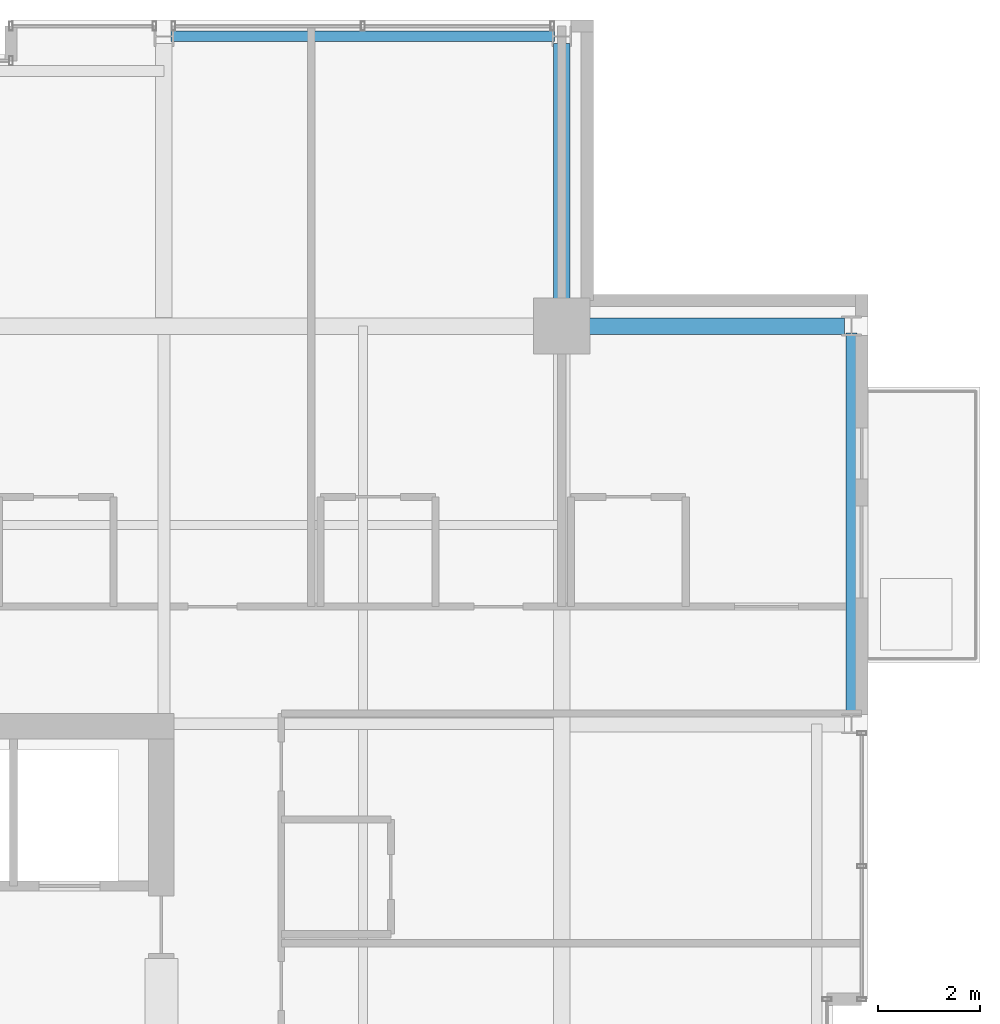
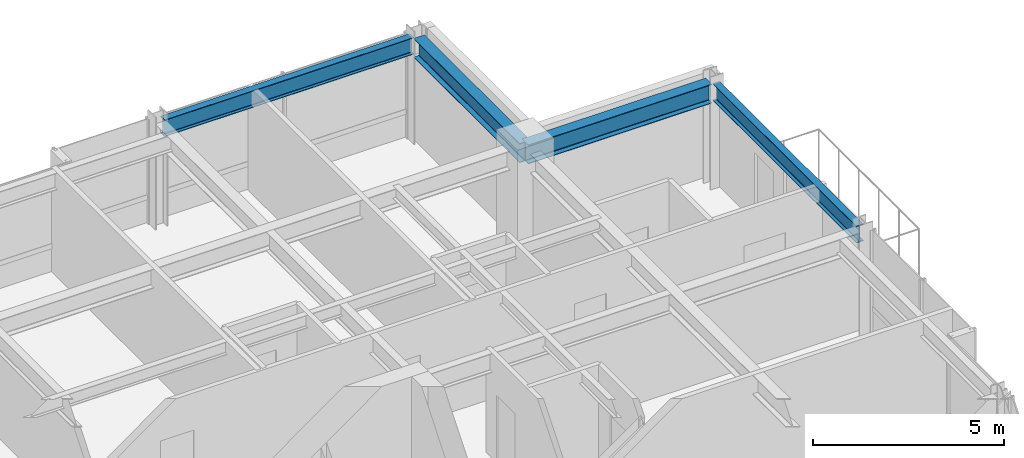
# One storey, part 24 of 34: 4 beams.
"""IFC4 building model written with IfcOpenShell, lengths in metres."""

from ifc_helpers import new_model, si_unit, direction, frame, origin, origin_2d, place, context, subcontext, project, spatial, i_section, extrude, material, material_profile, profile_set, type_object, element, save


model = new_model("IFC4")

# Units and contexts
model_context = context("Model", 3, precision=1e-05, world=origin(), true_north=direction((0.0, 1.0)))
body_context = subcontext(model_context, "Body", "Model", "MODEL_VIEW")
ifc_project = project(units=[si_unit("LENGTHUNIT", "METRE"), si_unit("AREAUNIT", "SQUARE_METRE"), si_unit("VOLUMEUNIT", "CUBIC_METRE"), si_unit("PLANEANGLEUNIT", "RADIAN"), si_unit("MASSUNIT", "GRAM", prefix="KILO")], contexts=[model_context])

# Site, building, storey
site_placement = place(None, origin())
site = spatial("IfcSite", under=ifc_project, at=site_placement, CompositionType="ELEMENT")
building_placement = place(site_placement, origin())
building = spatial("IfcBuilding", under=site, at=building_placement, Name="Drelvath Grand Hotel", CompositionType="ELEMENT")
storey_placement = place(building_placement, frame((0.0, 0.0, 208.699951171875)))
storey = spatial("IfcBuildingStorey", under=building, at=storey_placement, Name="L54", CompositionType="ELEMENT", Elevation=208.699951171875)

# Beams
ifc_material = material(Name="Steel ASTM A992 Gr 50", Category="steel")
ifc_material_profile_1 = material_profile(ifc_material, i_section(OverallWidth=0.210205078125, OverallDepth=0.53662109375, WebThickness=0.010986328125, FlangeThickness=0.017333984375, FilletRadius=0.01806640625, at=origin_2d()), Name="W21X68")
ifc_profile_set_1 = profile_set([ifc_material_profile_1], Name="Steel ASTM A992 Gr 50")
beam_type_1 = type_object("IfcBeamType", Name="Perimeter Spandrel Beam W21X68", PredefinedType="SPANDREL", material=ifc_profile_set_1)
for number, where, z_axis, x_axis, name in (
    (1, (21.8798828125, 35.5400390625, 3.071533203125), (0.0, 1.0, 0.0), (-1.0, 0.0, 0.0), "L54 Spandrel East N"),
    (2, (8.5400390625, 48.8798828125, 3.071533203125), (1.0, 0.0, 0.0), (0.0, 1.0, 0.0), "L54 Spandrel North E"),
):
    element("IfcBeam", number, at=place(storey_placement, frame(where, z_axis=z_axis, x_axis=x_axis)), inside=storey, type_object=beam_type_1, Name=name, PredefinedType="SPANDREL", context=body_context, shape_type="SweptSolid", body=[
        extrude(i_section(OverallWidth=0.210205078125, OverallDepth=0.53662109375, WebThickness=0.010986328125, FlangeThickness=0.017333984375, FilletRadius=0.01806640625, at=origin_2d()), origin(), (0.0, 0.0, 1.0), 7.52001953125),
    ])
ifc_material_profile_2 = material_profile(ifc_material, i_section(OverallWidth=0.323974609375, OverallDepth=0.611083984375, WebThickness=0.0126953125, FlangeThickness=0.01904296875, FilletRadius=0.02197265625, at=origin_2d()), Name="W24X104")
ifc_profile_set_2 = profile_set([ifc_material_profile_2], Name="Steel ASTM A992 Gr 50")
beam_type_2 = type_object("IfcBeamType", Name="Primary Floor Girder W24X104", PredefinedType="BEAM", material=ifc_profile_set_2)
for number, where, z_axis, x_axis, name in (
    (3, (16.199951171875, 43.199951171875, 3.034423828125), (1.0, 0.0, 0.0), (0.0, 1.0, 0.0), "L54 East Grid Girder G"),
    (4, (16.199951171875, 43.199951171875, 3.034423828125), (0.0, 1.0, 0.0), (-1.0, 0.0, 0.0), "L54 North Grid Girder 7"),
):
    element("IfcBeam", number, at=place(storey_placement, frame(where, z_axis=z_axis, x_axis=x_axis)), inside=storey, type_object=beam_type_2, Name=name, PredefinedType="BEAM", context=body_context, shape_type="SweptSolid", body=[
        extrude(i_section(OverallWidth=0.323974609375, OverallDepth=0.611083984375, WebThickness=0.0126953125, FlangeThickness=0.01904296875, FilletRadius=0.02197265625, at=origin_2d()), origin(), (0.0, 0.0, 1.0), 5.5400390625),
    ])

save(model, "model.ifc")
